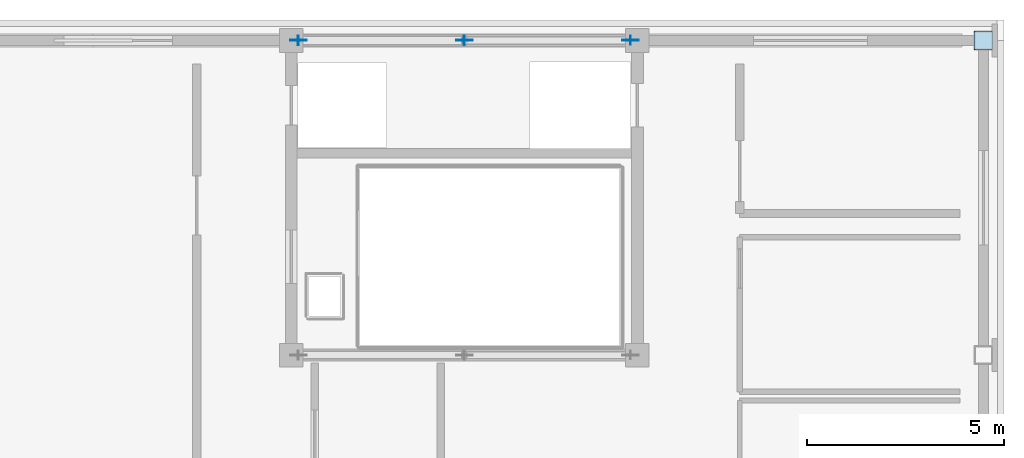
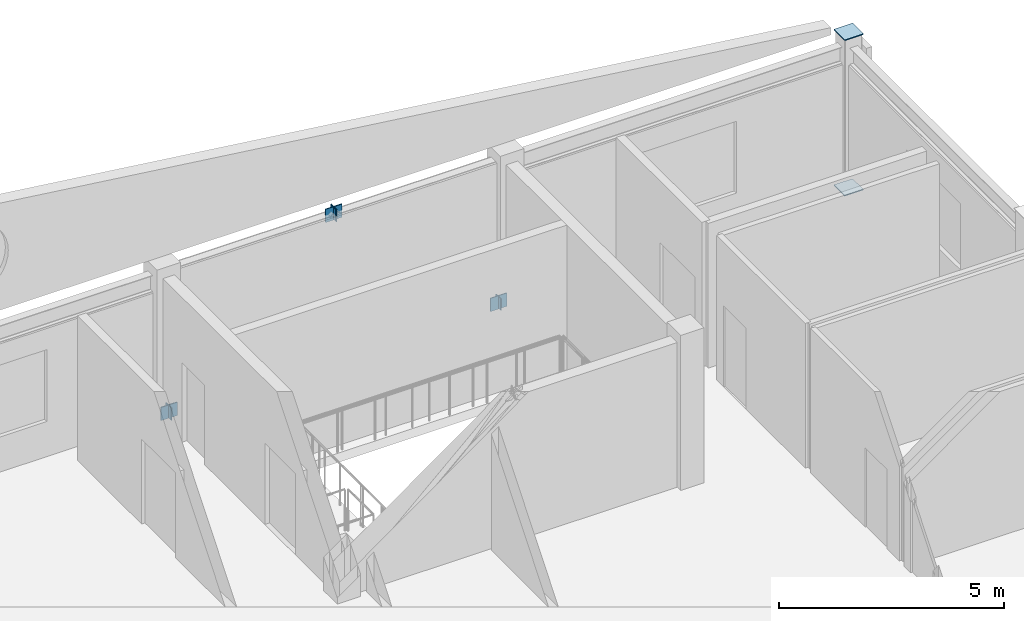
# One storey, part 6 of 10: 10 plates.
"""IFC4 building model written with IfcOpenShell, lengths in metres."""

from ifc_helpers import new_model, si_unit, direction, frame, origin, origin_2d, place, context, subcontext, project, spatial, rectangle, extrude, material, layer, layer_set, type_object, element, save


model = new_model("IFC4")

# Units and contexts
model_context = context("Model", 3, precision=1e-05, world=origin(), true_north=direction((0.0, 1.0)))
body_context = subcontext(model_context, "Body", "Model", "MODEL_VIEW")
ifc_project = project(units=[si_unit("LENGTHUNIT", "METRE"), si_unit("AREAUNIT", "SQUARE_METRE"), si_unit("VOLUMEUNIT", "CUBIC_METRE"), si_unit("PLANEANGLEUNIT", "RADIAN"), si_unit("MASSUNIT", "GRAM", prefix="KILO")], contexts=[model_context])

# Site, building, storey
site_placement = place(None, origin())
site = spatial("IfcSite", under=ifc_project, at=site_placement, CompositionType="ELEMENT")
building_placement = place(site_placement, origin())
building = spatial("IfcBuilding", under=site, at=building_placement, Name="Zhaolan Boulevard Law Courts", CompositionType="ELEMENT")
storey_placement = place(building_placement, frame((0.0, 0.0, 41.39990234375)))
storey = spatial("IfcBuildingStorey", under=building, at=storey_placement, Name="L09", CompositionType="ELEMENT", Elevation=41.39990234375)

# Plates
ifc_material_1 = material(Name="Structural steel Q355B", Category="steel")
ifc_layer_1 = layer(ifc_material_1, 0.02392578125)
ifc_layer_set_1 = layer_set([ifc_layer_1])
plate_type_1 = type_object("IfcPlateType", Name="BRACE GUSSET PLATE 24", PredefinedType="SHEET", material=ifc_layer_set_1)
for number, where, z_axis, x_axis, name in (
    (1, (17.780029296875, 70.0, -0.14990234375), (0.0, 0.0, 1.0), (1.0, 0.0, 0.0), "Brace Gusset Connection Plate GP-W2-L09-NA1"),
    (2, (26.219970703125, 70.0, -0.14990234375), (0.0, 0.0, 1.0), (1.0, 0.0, 0.0), "Brace Gusset Connection Plate GP-W2-L09-NA2"),
    (3, (22.0, 70.0, 3.740234375), (0.0, 0.0, 1.0), (1.0, 0.0, 0.0), "Brace Gusset Connection Plate GP-W2-L09-NAPX"),
):
    element("IfcPlate", number, at=place(storey_placement, frame(where, z_axis=z_axis, x_axis=x_axis)), inside=storey, type_object=plate_type_1, Name=name, PredefinedType="SHEET", context=body_context, shape_type="SweptSolid", body=[
        extrude(rectangle(XDim=0.419921875, YDim=0.02392578125, at=origin_2d()), origin(), (0.0, 0.0, 1.0), 0.360107421875),
    ])
ifc_material_2 = material(Name="Structural steel Q355B", Category="steel")
ifc_layer_2 = layer(ifc_material_2, 0.02001953125)
ifc_layer_set_2 = layer_set([ifc_layer_2])
plate_type_2 = type_object("IfcPlateType", Name="END CAP PLATE 20", PredefinedType="SHEET", material=ifc_layer_set_2)
plate_placement = place(storey_placement, frame((35.199951171875, 70.0, 4.18017578125), z_axis=(0.0, 0.0, 1.0), x_axis=(1.0, 0.0, 0.0)))
element("IfcPlate", 4, at=plate_placement, inside=storey, type_object=plate_type_2, Name="Hollow Column Top End-Cap Plate ECP-5K", PredefinedType="SHEET", context=body_context, shape_type="SweptSolid", body=[
    extrude(rectangle(XDim=0.449951171875, YDim=0.449951171875, at=origin_2d()), origin(), (0.0, 0.0, 1.0), 0.02001953125),
])
for number, where, z_axis, x_axis, name in (
    (5, (35.199951171875, 70.0, -0.017822265625), (0.0, 0.0, 1.0), (1.0, 0.0, 0.0), "Hollow Section End-Cap Plate ECP-0485"),
    (6, (35.199951171875, 70.0, 4.197998046875), (0.0, 0.0, 1.0), (1.0, 0.0, 0.0), "Hollow Section End-Cap Plate ECP-0486"),
):
    element("IfcPlate", number, at=place(storey_placement, frame(where, z_axis=z_axis, x_axis=x_axis)), inside=storey, type_object=plate_type_2, Name=name, PredefinedType="SHEET", context=body_context, shape_type="SweptSolid", body=[
        extrude(rectangle(XDim=0.47998046875, YDim=0.47998046875, at=origin_2d()), origin(), (0.0, 0.0, 1.0), 0.02001953125),
    ])
for number, where, z_axis, x_axis, name in (
    (7, (17.774169921875, 70.0, -0.1455078125), (0.0, 0.0, 1.0), (1.0, 0.0, 0.0), "Hollow Section End-Cap Plate ECP-1215"),
    (8, (22.005859375, 70.0, 3.75537109375), (0.0, 0.0, 1.0), (1.0, 0.0, 0.0), "Hollow Section End-Cap Plate ECP-1216"),
):
    element("IfcPlate", number, at=place(storey_placement, frame(where, z_axis=z_axis, x_axis=x_axis)), inside=storey, type_object=plate_type_2, Name=name, PredefinedType="SHEET", context=body_context, shape_type="SweptSolid", body=[
        extrude(rectangle(XDim=0.02001953125, YDim=0.25, at=origin_2d()), origin(), (0.0, 0.0, 1.0), 0.340087890625),
    ])
for number, where, z_axis, x_axis, name in (
    (9, (26.225830078125, 70.0, -0.1318359375), (0.0, 0.0, 1.0), (-1.0, 0.0, 0.0), "Hollow Section End-Cap Plate ECP-1217"),
    (10, (21.994140625, 70.0, 3.76904296875), (0.0, 0.0, 1.0), (-1.0, 0.0, 0.0), "Hollow Section End-Cap Plate ECP-1218"),
):
    element("IfcPlate", number, at=place(storey_placement, frame(where, z_axis=z_axis, x_axis=x_axis)), inside=storey, type_object=plate_type_2, Name=name, PredefinedType="SHEET", context=body_context, shape_type="SweptSolid", body=[
        extrude(rectangle(XDim=0.02001953125, YDim=0.22998046875, at=origin_2d()), origin(), (0.0, 0.0, 1.0), 0.31298828125),
    ])

save(model, "model.ifc")
